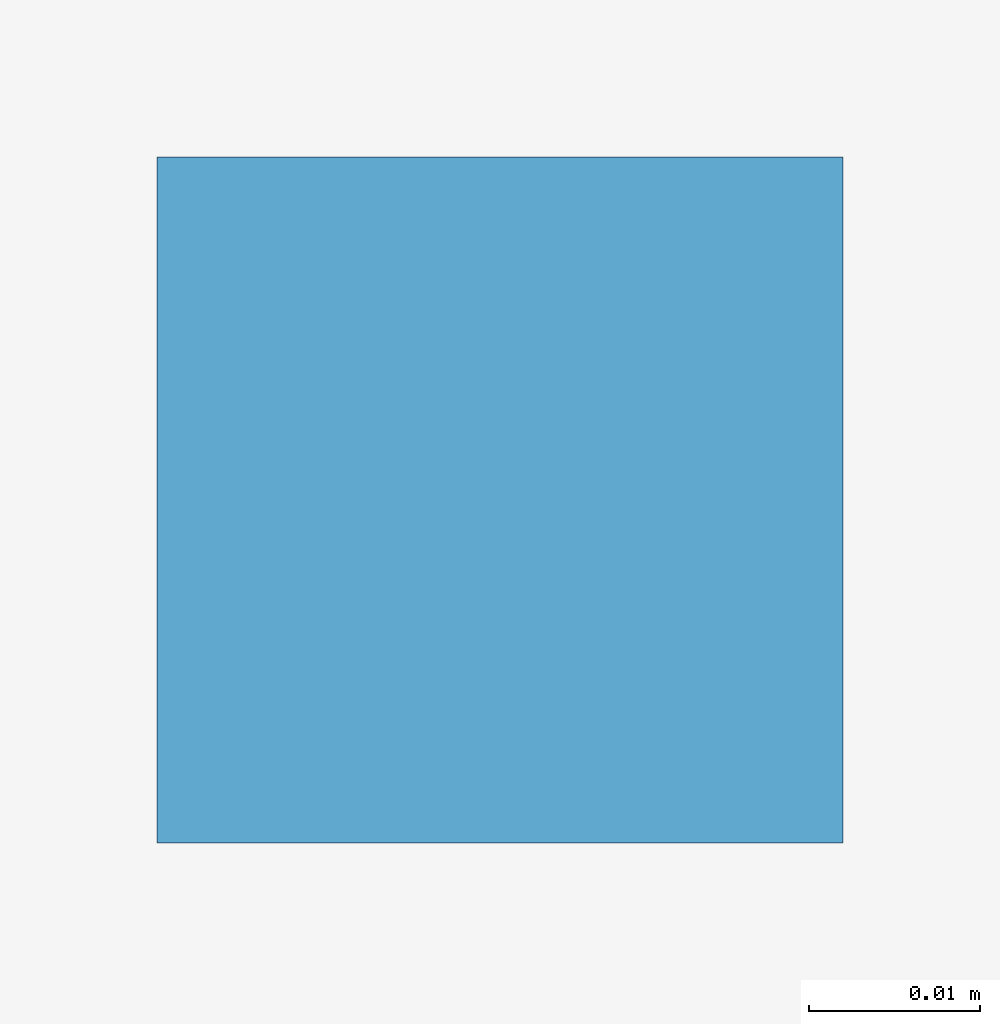
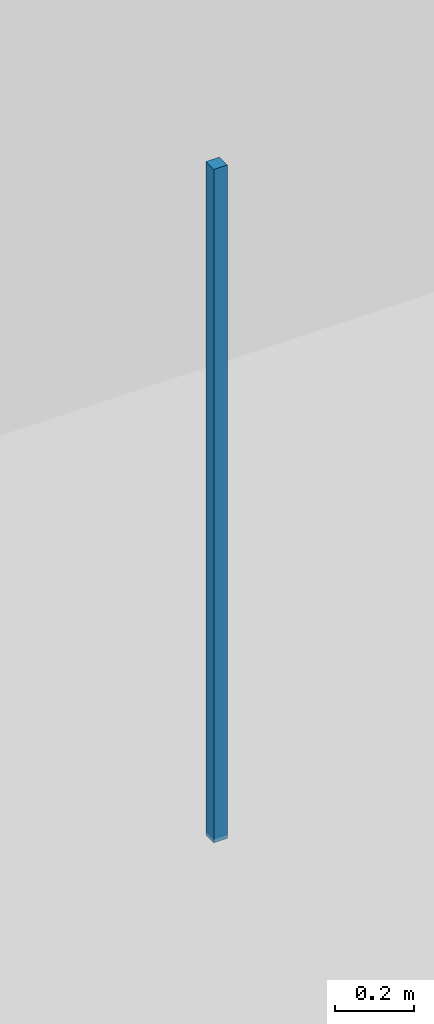
# One storey, part 124 of 167: 1 discrete accessory.
"""IFC4 building model written with IfcOpenShell, lengths in metres."""

from ifc_helpers import new_model, si_unit, direction, frame, origin, origin_2d, place, context, subcontext, project, spatial, rectangle, extrude, material, type_object, element, save


model = new_model("IFC4")

# Units and contexts
model_context = context("Model", 3, precision=1e-05, world=origin(), true_north=direction((0.0, 1.0)))
body_context = subcontext(model_context, "Body", "Model", "MODEL_VIEW")
ifc_project = project(units=[si_unit("LENGTHUNIT", "METRE"), si_unit("AREAUNIT", "SQUARE_METRE"), si_unit("VOLUMEUNIT", "CUBIC_METRE"), si_unit("PLANEANGLEUNIT", "RADIAN"), si_unit("MASSUNIT", "GRAM", prefix="KILO")], contexts=[model_context])

# Site, building, storey
site_placement = place(None, origin())
site = spatial("IfcSite", under=ifc_project, at=site_placement, CompositionType="ELEMENT")
building_placement = place(site_placement, origin())
building = spatial("IfcBuilding", under=site, at=building_placement, Name="Varncliffe General Hospital", CompositionType="ELEMENT")
storey_placement = place(building_placement, origin())
storey = spatial("IfcBuildingStorey", under=building, at=storey_placement, Name="L00", CompositionType="ELEMENT", Elevation=0.0)

# Discrete accessory
ifc_material = material(Name="Powder-coated hospital steel guardrail and handrail", Category="steel")
discrete_accessory_type = type_object("IfcDiscreteAccessoryType", Name="Suspended Ceiling Hanger Bracket CH01", PredefinedType="BRACKET", material=ifc_material)
discrete_accessory_placement = place(storey_placement, frame((169.800048828125, 26.142578125, 3.18994140625), z_axis=(0.0, 0.0, 1.0), x_axis=(1.0, 0.0, 0.0)))
element("IfcDiscreteAccessory", 1, at=discrete_accessory_placement, inside=storey, type_object=discrete_accessory_type, Name="L00 Suspended Ceiling Hanger 72", PredefinedType="BRACKET", context=body_context, shape_type="SweptSolid", body=[
    extrude(rectangle(XDim=0.0400390625, YDim=0.0400390625, at=origin_2d()), origin(), (0.0, 0.0, 1.0), 2.090087890625),
])

save(model, "model.ifc")
